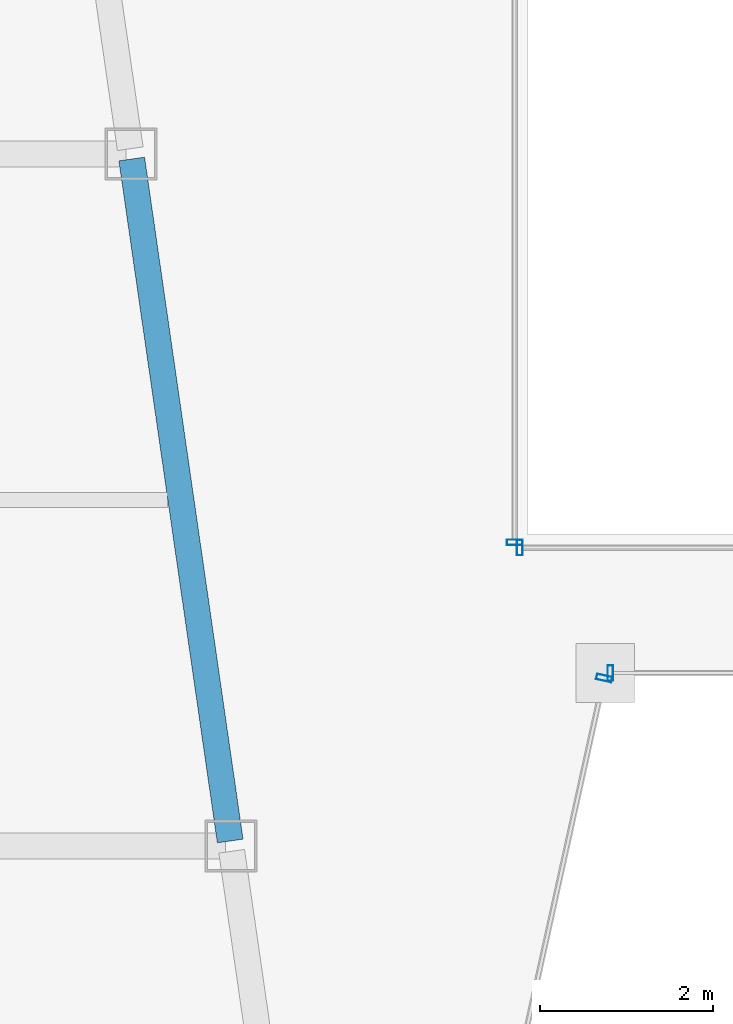
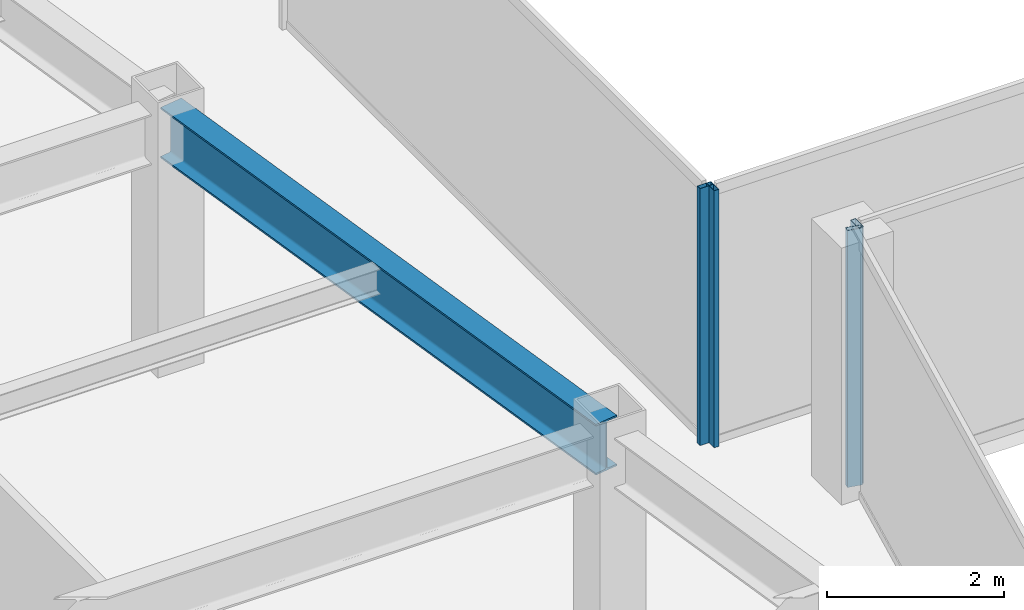
# One storey, part 6 of 36: 4 members, 1 beam, 4 elements without a shape of their own.
"""IFC4 building model written with IfcOpenShell, lengths in metres."""

from ifc_helpers import new_model, si_unit, direction, frame, origin, origin_2d, place, context, subcontext, project, spatial, hollow_rectangle, i_section, extrude, material, material_profile, profile_set, type_object, element, aggregate, save


model = new_model("IFC4")

# Units and contexts
model_context = context("Model", 3, precision=1e-05, world=origin(), true_north=direction((0.0, 1.0)))
body_context = subcontext(model_context, "Body", "Model", "MODEL_VIEW")
ifc_project = project(units=[si_unit("LENGTHUNIT", "METRE"), si_unit("AREAUNIT", "SQUARE_METRE"), si_unit("VOLUMEUNIT", "CUBIC_METRE"), si_unit("PLANEANGLEUNIT", "RADIAN"), si_unit("MASSUNIT", "GRAM", prefix="KILO")], contexts=[model_context])

# Site, building, storey
site_placement = place(None, origin())
site = spatial("IfcSite", under=ifc_project, at=site_placement, CompositionType="ELEMENT")
building_placement = place(site_placement, origin())
building = spatial("IfcBuilding", under=site, at=building_placement, Name="Saevonmaru Cultural Tower", CompositionType="ELEMENT")
storey_placement = place(building_placement, frame((0.0, 0.0, 171.39990234375)))
storey = spatial("IfcBuildingStorey", under=building, at=storey_placement, Name="L38", CompositionType="ELEMENT", Elevation=171.39990234375)

# Beam
ifc_material_1 = material(Name="Steel SM355", Category="steel")
ifc_material_profile_1 = material_profile(ifc_material_1, i_section(OverallWidth=0.300048828125, OverallDepth=0.699951171875, WebThickness=0.012939453125, FlangeThickness=0.02392578125, FilletRadius=0.02587890625, at=origin_2d()), Name="H-700x300x13x24")
ifc_profile_set_1 = profile_set([ifc_material_profile_1], Name="Steel SM355")
beam_type = type_object("IfcBeamType", Name="BM-G-H700", PredefinedType="BEAM", material=ifc_profile_set_1)
beam_placement = place(storey_placement, frame((20.763427734375, 24.059326171875, 3.2001953125), z_axis=(-0.142902032203, 0.989736838353, 0.0), x_axis=(-0.989736838353, -0.142902032203, 0.0)))
element("IfcBeam", 1, at=beam_placement, inside=storey, type_object=beam_type, Name="L38 West Atrium Girder 2", PredefinedType="BEAM", context=body_context, shape_type="SweptSolid", body=[
    extrude(i_section(OverallWidth=0.300048828125, OverallDepth=0.699951171875, WebThickness=0.012939453125, FlangeThickness=0.02392578125, FilletRadius=0.02587890625, at=origin_2d()), origin(), (0.0, 0.0, 1.0), 7.963134765625),
])

# Curtain wall, member
ifc_material_2 = material(Name="Satin Bronze Anodised Aluminium", Category="aluminium")
curtain_wall_type_1 = type_object("IfcCurtainWallType", Name="CW-TYP-A", PredefinedType="NOTDEFINED", material=ifc_material_2)
curtain_wall_1_placement = place(storey_placement, origin())
curtain_wall_1 = element("IfcCurtainWall", 2, at=curtain_wall_1_placement, inside=storey, type_object=curtain_wall_type_1, Name="L38 Unitised Curtain Wall E3", PredefinedType="NOTDEFINED")
ifc_material_profile_2 = material_profile(ifc_material_2, hollow_rectangle(XDim=0.06494140625, YDim=0.179931640625, WallThickness=0.00390625, at=origin_2d()), Name="ALU-MULL-180x65x4")
ifc_profile_set_2 = profile_set([ifc_material_profile_2], Name="Satin Bronze Anodised Aluminium")
member_type_1 = type_object("IfcMemberType", Name="ML-CW-180x65", PredefinedType="MULLION", material=ifc_profile_set_2)
member_1_placement = place(storey_placement, frame((25.0849609375, 25.94140625, 0.0), z_axis=(0.0, 0.0, 1.0), x_axis=(0.215413319953, 0.976522965212, 0.0)))
member_1 = element("IfcMember", 3, at=member_1_placement, type_object=member_type_1, Name="CW-TW-L38-E3 mullion 2", PredefinedType="MULLION", context=body_context, shape_type="SweptSolid", body=[
    extrude(hollow_rectangle(XDim=0.06494140625, YDim=0.179931640625, WallThickness=0.00390625, at=origin_2d()), origin(), (0.0, 0.0, 1.0), 3.550048828125),
])
aggregate(curtain_wall_1, [member_1])

curtain_wall_2_placement = place(storey_placement, origin())
curtain_wall_2 = element("IfcCurtainWall", 4, at=curtain_wall_2_placement, inside=storey, type_object=curtain_wall_type_1, Name="L38 Unitised Curtain Wall E4", PredefinedType="NOTDEFINED")
member_2_placement = place(storey_placement, frame((25.15771484375, 26.0, 0.0), z_axis=(0.0, 0.0, 1.0), x_axis=(1.0, 0.0, 0.0)))
member_2 = element("IfcMember", 5, at=member_2_placement, type_object=member_type_1, Name="CW-TW-L38-E4 mullion 1", PredefinedType="MULLION", context=body_context, shape_type="SweptSolid", body=[
    extrude(hollow_rectangle(XDim=0.06494140625, YDim=0.179931640625, WallThickness=0.00390625, at=origin_2d()), origin(), (0.0, 0.0, 1.0), 3.550048828125),
])
aggregate(curtain_wall_2, [member_2])

curtain_wall_type_2 = type_object("IfcCurtainWallType", Name="CW-ATR-GLZ", PredefinedType="NOTDEFINED", material=ifc_material_2)
curtain_wall_3_placement = place(storey_placement, origin())
curtain_wall_3 = element("IfcCurtainWall", 6, at=curtain_wall_3_placement, inside=storey, type_object=curtain_wall_type_2, Name="L38 Vertical Atrium Glazed Smoke Screen 1", PredefinedType="NOTDEFINED")
ifc_material_profile_3 = material_profile(ifc_material_2, hollow_rectangle(XDim=0.06494140625, YDim=0.179931640625, WallThickness=0.00390625, at=origin_2d()), Name="ALU-MULL-180x65x4")
ifc_profile_set_3 = profile_set([ifc_material_profile_3], Name="Satin Bronze Anodised Aluminium")
member_type_2 = type_object("IfcMemberType", Name="ML-CW-INT-180x65", PredefinedType="MULLION", material=ifc_profile_set_3)
member_3_placement = place(storey_placement, frame((24.110107421875, 27.449951171875, 0.0), z_axis=(0.0, 0.0, 1.0), x_axis=(1.0, 0.0, 0.0)))
member_3 = element("IfcMember", 7, at=member_3_placement, type_object=member_type_2, Name="CW-ATR-L38-1 mullion 1", PredefinedType="MULLION", context=body_context, shape_type="SweptSolid", body=[
    extrude(hollow_rectangle(XDim=0.06494140625, YDim=0.179931640625, WallThickness=0.00390625, at=origin_2d()), origin(), (0.0, 0.0, 1.0), 3.550048828125),
])
aggregate(curtain_wall_3, [member_3])

curtain_wall_4_placement = place(storey_placement, origin())
curtain_wall_4 = element("IfcCurtainWall", 8, at=curtain_wall_4_placement, inside=storey, type_object=curtain_wall_type_2, Name="L38 Vertical Atrium Glazed Smoke Screen 4", PredefinedType="NOTDEFINED")
member_4_placement = place(storey_placement, frame((24.050048828125, 27.510009765625, 0.0), z_axis=(0.0, 0.0, 1.0), x_axis=(0.0, -1.0, 0.0)))
member_4 = element("IfcMember", 9, at=member_4_placement, type_object=member_type_2, Name="CW-ATR-L38-4 mullion 2", PredefinedType="MULLION", context=body_context, shape_type="SweptSolid", body=[
    extrude(hollow_rectangle(XDim=0.06494140625, YDim=0.179931640625, WallThickness=0.00390625, at=origin_2d()), origin(), (0.0, 0.0, 1.0), 3.550048828125),
])
aggregate(curtain_wall_4, [member_4])

save(model, "model.ifc")
